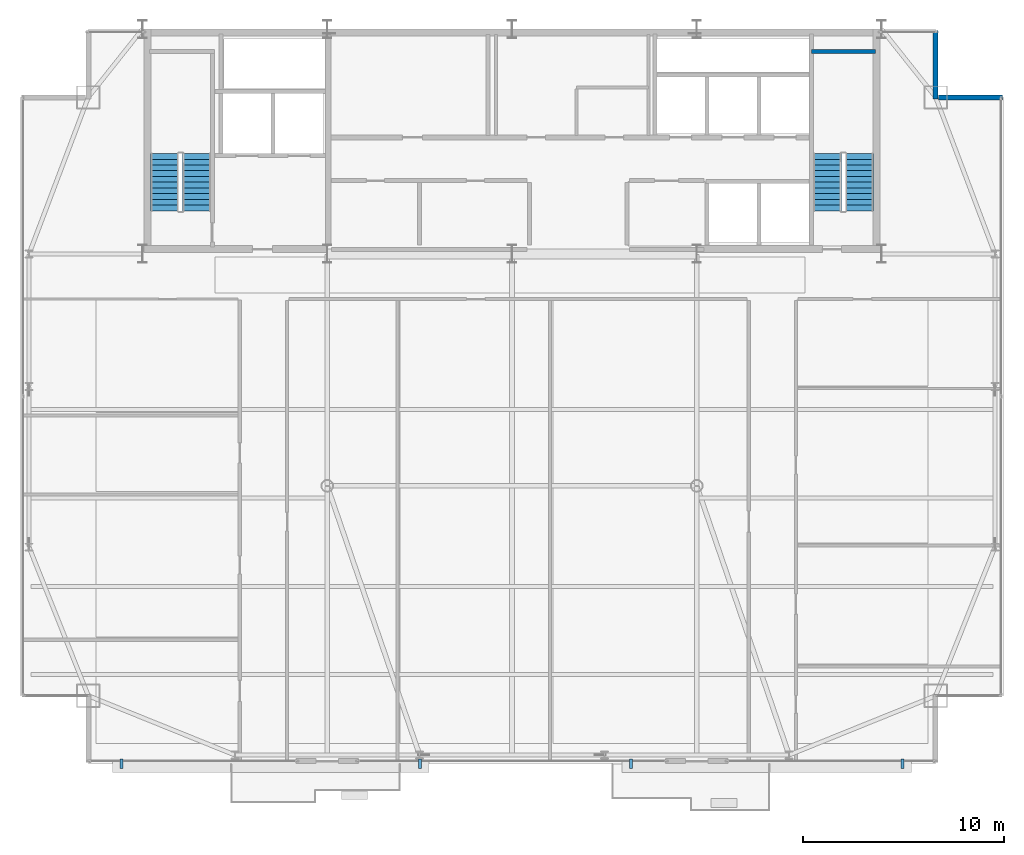
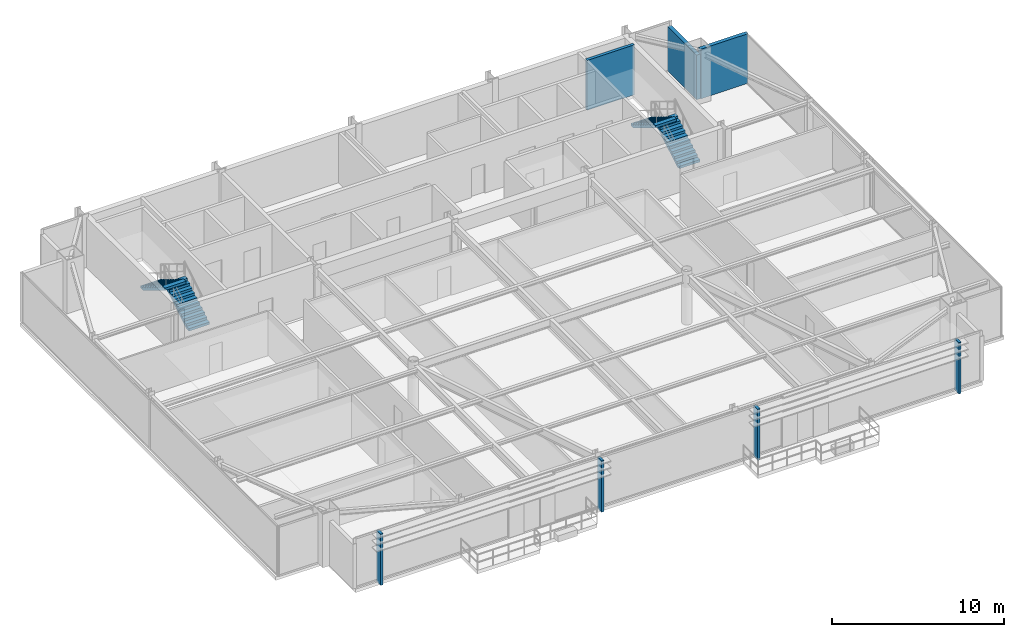
# One storey, part 28 of 30: 4 discrete accessories, 4 stair flights, 3 walls, 2 elements without a shape of their own.
"""IFC4 building model written with IfcOpenShell, lengths in metres."""

import ifcopenshell
import ifcopenshell.guid

model = None  # the IFC model being written
_history = None  # IfcOwnerHistory: only IFC2X3 demands one
_inside = {}  # id of a spatial element -> (the spatial element, [elements in it])
_under = {}  # id of a project, library or spatial element -> (it, [spatial elements below it])
_declared = {}  # id of a project -> (the project, [libraries it declares])
_typed = {}  # id of a type object -> (the type object, [elements of that type])
_made_of = {}  # id of a material, layer set ... -> (it, [elements and type objects made of it])


def new_model(schema):
    """Start an empty IFC model of exactly this schema.

    Asked for "IFC4X3", IfcOpenShell would pick the latest addendum, in which some entities
    have other attributes; the version numbers below select the first issue.
    IFC2X3 requires an IfcOwnerHistory on every rooted entity: one is made here for all.
    """
    global model, _history
    if schema == "IFC4X3":
        model = ifcopenshell.file(schema_version=(4, 3, 0, 0))
    else:
        model = ifcopenshell.file(schema=schema)
    _inside.clear()
    _under.clear()
    _declared.clear()
    _typed.clear()
    _made_of.clear()
    _history = None
    if model.schema == "IFC2X3":
        org = make("IfcOrganization", Name="unknown")
        user = make(
            "IfcPersonAndOrganization",
            ThePerson=make("IfcPerson", FamilyName="unknown"),
            TheOrganization=org,
        )
        app = make(
            "IfcApplication",
            ApplicationDeveloper=org,
            Version="unknown",
            ApplicationFullName="unknown",
            ApplicationIdentifier="unknown",
        )
        _history = make(
            "IfcOwnerHistory",
            OwningUser=user,
            OwningApplication=app,
            ChangeAction="ADDED",
            CreationDate=0,
        )
    return model


def make(cls, **values):
    """One entity of the class cls with the attributes given. An attribute that is None is left unset."""
    return model.create_entity(
        cls, **{name: value for name, value in values.items() if value is not None}
    )


def rooted(cls, **values):
    """An entity with a GlobalId (a new one), such as an element, a storey or a relation."""
    return make(cls, GlobalId=ifcopenshell.guid.new(), OwnerHistory=_history, **values)


def si_unit(unit_type, name, prefix=None):
    """IfcSIUnit, for example si_unit("LENGTHUNIT", "METRE", prefix="MILLI")."""
    return make("IfcSIUnit", UnitType=unit_type, Prefix=prefix, Name=name)


def assignment(units):
    """IfcUnitAssignment: the units of a project."""
    return None if units is None else make("IfcUnitAssignment", Units=units)


def point(xyz):
    """IfcCartesianPoint."""
    return None if xyz is None else make("IfcCartesianPoint", Coordinates=xyz)


def direction(xyz):
    """IfcDirection."""
    return None if xyz is None else make("IfcDirection", DirectionRatios=xyz)


def frame(location, z_axis=None, x_axis=None):
    """IfcAxis2Placement3D, a coordinate frame: its origin and axes. An axis left out is left unset."""
    return make(
        "IfcAxis2Placement3D",
        Location=point(location),
        Axis=direction(z_axis),
        RefDirection=direction(x_axis),
    )


def frame_2d(location, x_axis=None):
    """IfcAxis2Placement2D, a coordinate frame in the plane: its origin and x axis."""
    return make(
        "IfcAxis2Placement2D", Location=point(location), RefDirection=direction(x_axis)
    )


def origin():
    """The frame at (0, 0, 0) with its axes left unset."""
    return frame((0.0, 0.0, 0.0))


def origin_2d():
    """The frame at (0, 0) in the plane with its x axis left unset."""
    return frame_2d((0.0, 0.0))


def place(relative_to, where):
    """IfcLocalPlacement: puts the frame where relative to a parent placement (None: the world)."""
    return make(
        "IfcLocalPlacement", PlacementRelTo=relative_to, RelativePlacement=where
    )


def context(
    kind, dimensions, precision=None, world=None, true_north=None, identifier=None
):
    """IfcGeometricRepresentationContext, for example the 3D "Model" context."""
    return make(
        "IfcGeometricRepresentationContext",
        ContextIdentifier=identifier,
        ContextType=kind,
        CoordinateSpaceDimension=dimensions,
        Precision=precision,
        WorldCoordinateSystem=world,
        TrueNorth=true_north,
    )


def subcontext(parent, identifier, kind, view, scale=None):
    """IfcGeometricRepresentationSubContext, for example "Body" below "Model"."""
    return make(
        "IfcGeometricRepresentationSubContext",
        ContextIdentifier=identifier,
        ContextType=kind,
        ParentContext=parent,
        TargetScale=scale,
        TargetView=view,
    )


def project(units=None, contexts=None):
    """IfcProject with its units and contexts."""
    return rooted(
        "IfcProject",
        Name="project",
        RepresentationContexts=contexts,
        UnitsInContext=assignment(units),
    )


def spatial(cls, under=None, at=None, **own):
    """A site, building, storey or space (cls), placed at a placement, below another one or the project."""
    s = rooted(cls, ObjectPlacement=at, **own)
    if under is not None:
        _under.setdefault(under.id(), (under, []))[1].append(s)
    return s


def polyline(points):
    """IfcPolyline through the points."""
    return make("IfcPolyline", Points=[point(p) for p in points])


def profile(cls, at=None, kind="AREA", **sizes):
    """A parametric profile (cls). Its sizes go by their IFC names, for example OverallWidth=200.0."""
    return make(cls, ProfileType=kind, Position=at, **sizes)


def rectangle(**sizes):
    """IfcRectangleProfileDef."""
    return profile("IfcRectangleProfileDef", **sizes)


def outline(outer, holes=None, kind="AREA"):
    """IfcArbitraryClosedProfileDef: a profile drawn as a closed curve; with holes, ...WithVoids."""
    if holes is None:
        return make("IfcArbitraryClosedProfileDef", ProfileType=kind, OuterCurve=outer)
    return make(
        "IfcArbitraryProfileDefWithVoids",
        ProfileType=kind,
        OuterCurve=outer,
        InnerCurves=holes,
    )


def extrude(swept, where, along, depth):
    """IfcExtrudedAreaSolid: the profile swept, set in the frame where, extruded along a direction by depth."""
    return make(
        "IfcExtrudedAreaSolid",
        SweptArea=swept,
        Position=where,
        ExtrudedDirection=direction(along),
        Depth=depth,
    )


def shape(context_of_items, identifier, shape_type, items):
    """IfcShapeRepresentation: the items that make up one representation, for example the "Body"."""
    return make(
        "IfcShapeRepresentation",
        ContextOfItems=context_of_items,
        RepresentationIdentifier=identifier,
        RepresentationType=shape_type,
        Items=items,
    )


def source(mapping_origin, context_of_items, identifier, shape_type, items):
    """IfcRepresentationMap: a shape defined once, which mapped items show again and again."""
    return make(
        "IfcRepresentationMap",
        MappingOrigin=mapping_origin,
        MappedRepresentation=shape(context_of_items, identifier, shape_type, items),
    )


def transform(
    local_origin,
    x_axis=None,
    y_axis=None,
    z_axis=None,
    scale=None,
    scale2=None,
    scale3=None,
    uniform=True,
):
    """IfcCartesianTransformationOperator3D, or its non-uniform kind. x_axis, y_axis, z_axis: its Axis1, 2, 3."""
    if uniform:
        return make(
            "IfcCartesianTransformationOperator3D",
            Axis1=direction(x_axis),
            Axis2=direction(y_axis),
            LocalOrigin=point(local_origin),
            Scale=scale,
            Axis3=direction(z_axis),
        )
    return make(
        "IfcCartesianTransformationOperator3DnonUniform",
        Axis1=direction(x_axis),
        Axis2=direction(y_axis),
        LocalOrigin=point(local_origin),
        Scale=scale,
        Axis3=direction(z_axis),
        Scale2=scale2,
        Scale3=scale3,
    )


def mapped(mapping_source, mapping_target):
    """IfcMappedItem: shows the shape of a source again, moved by a transform."""
    return make(
        "IfcMappedItem", MappingSource=mapping_source, MappingTarget=mapping_target
    )


def material(Name=None, Category=None):
    """IfcMaterial."""
    return make("IfcMaterial", Name=Name, Category=Category)


def layer(
    of_material, thickness, ventilated=None, Name=None, Category=None, Priority=None
):
    """IfcMaterialLayer: one layer of a wall or slab, of a material (None: an air gap)."""
    return make(
        "IfcMaterialLayer",
        Material=of_material,
        LayerThickness=thickness,
        IsVentilated=ventilated,
        Name=Name,
        Category=Category,
        Priority=Priority,
    )


def layer_set(layers, Name=None):
    """IfcMaterialLayerSet."""
    return make("IfcMaterialLayerSet", MaterialLayers=layers, LayerSetName=Name)


def made_of(thing, what):
    """Note that an element or type object is made of a material, layer set ...; save() writes the relation."""
    if what is not None:
        _made_of.setdefault(what.id(), (what, []))[1].append(thing)
    return thing


def type_object(cls, material=None, **own):
    """A type object (cls), such as IfcWallType, which elements share."""
    return made_of(rooted(cls, **own), material)


def type_shapes(of_type, sources):
    """Give a type object the sources (RepresentationMaps) that its elements show as mapped items."""
    of_type.RepresentationMaps = sources


def element(
    cls,
    number,
    at=None,
    inside=None,
    cuts=None,
    type_object=None,
    material=None,
    context=None,
    identifier="Body",
    shape_type=None,
    held_by="IfcProductDefinitionShape",
    body=None,
    shapes=None,
    **own,
):
    """One element of the class cls, such as IfcWall. Its Tag is "e" and its number.

    at: its placement. inside: the storey or other place that contains it. cuts: it is an
    opening in that element (IfcRelVoidsElement). A single representation is given by context,
    identifier, shape_type and body (its items); several are given by shapes. held_by: the class
    of the entity that holds the representations. save() writes the other relations.
    """
    e = rooted(cls, Tag="e%d" % number, ObjectPlacement=at, **own)
    if body is not None:
        shapes = [shape(context, identifier, shape_type, body)]
    if shapes is not None:
        e.Representation = make(held_by, Representations=shapes)
    if inside is not None:
        _inside.setdefault(inside.id(), (inside, []))[1].append(e)
    if cuts is not None:
        rooted(
            "IfcRelVoidsElement", RelatingBuildingElement=cuts, RelatedOpeningElement=e
        )
    if type_object is not None:
        _typed.setdefault(type_object.id(), (type_object, []))[1].append(e)
    return made_of(e, material)


def aggregate(whole, parts):
    """IfcRelAggregates: a whole, such as a stair, and the parts it consists of."""
    return rooted("IfcRelAggregates", RelatingObject=whole, RelatedObjects=parts)


def save(model, path):
    """Write the relations noted so far, then the file.

    IfcRelAggregates (storeys below a building ...), IfcRelContainedInSpatialStructure (elements
    in a storey), IfcRelDefinesByType, IfcRelAssociatesMaterial and IfcRelDeclares: one each for
    every whole, place, type object, material and project.
    """
    for whole, parts in _under.values():
        aggregate(whole, parts)
    for where, things in _inside.values():
        rooted(
            "IfcRelContainedInSpatialStructure",
            RelatedElements=things,
            RelatingStructure=where,
        )
    for kind, things in _typed.values():
        rooted("IfcRelDefinesByType", RelatedObjects=things, RelatingType=kind)
    for what, things in _made_of.values():
        rooted("IfcRelAssociatesMaterial", RelatedObjects=things, RelatingMaterial=what)
    for by, libraries in _declared.values():
        rooted("IfcRelDeclares", RelatingContext=by, RelatedDefinitions=libraries)
    model.write(path)


model = new_model("IFC4")

# Units and contexts
model_context = context("Model", 3, precision=1e-05, world=origin(), true_north=direction((0.0, 1.0)))
body_context = subcontext(model_context, "Body", "Model", "MODEL_VIEW")
ifc_project = project(units=[si_unit("LENGTHUNIT", "METRE"), si_unit("AREAUNIT", "SQUARE_METRE"), si_unit("VOLUMEUNIT", "CUBIC_METRE"), si_unit("PLANEANGLEUNIT", "RADIAN"), si_unit("MASSUNIT", "GRAM", prefix="KILO")], contexts=[model_context])

# Site, building, storey
site_placement = place(None, origin())
site = spatial("IfcSite", under=ifc_project, at=site_placement, CompositionType="ELEMENT")
building_placement = place(site_placement, origin())
building = spatial("IfcBuilding", under=site, at=building_placement, Name="Varnel Quay Broadcast Tower", CompositionType="ELEMENT")
storey_placement = place(building_placement, frame((0.0, 0.0, 211.199951171875)))
storey = spatial("IfcBuildingStorey", under=building, at=storey_placement, Name="L52", CompositionType="ELEMENT", Elevation=211.199951171875)

# Walls
ifc_material_1 = material(Name="Concrete CSA A23.3 C50/60", Category="concrete")
ifc_layer_1 = layer(ifc_material_1, 0.199951171875, Name="Concrete CSA A23.3 C50/60")
ifc_layer_set_1 = layer_set([ifc_layer_1], Name="Concrete CSA A23.3 C50/60")
wall_type_1 = type_object("IfcWallType", Name="Wall_CoreShaftShear200", PredefinedType="SHEAR", material=ifc_layer_set_1)
wall_1_placement = place(storey_placement, frame((48.919921875, 45.679931640625, 0.0), z_axis=(0.0, 0.0, 1.0), x_axis=(1.0, 0.0, 0.0)))
element("IfcWall", 1, at=wall_1_placement, inside=storey, type_object=wall_type_1, Name="L52 Stair 2 North Structural Wall", PredefinedType="SHEAR", context=body_context, shape_type="SweptSolid", body=[
    extrude(rectangle(XDim=3.18017578125, YDim=0.199951171875, at=frame_2d((1.590087890625, 0.0))), origin(), (0.0, 0.0, 1.0), 3.550048828125),
])
ifc_material_2 = material(Name="Precast Architectural Concrete C40/50", Category="concrete")
ifc_layer_2 = layer(ifc_material_2, 0.25, Name="Precast Architectural Concrete C40/50")
ifc_layer_set_2 = layer_set([ifc_layer_2], Name="Precast Architectural Concrete C40/50")
wall_type_2 = type_object("IfcWallType", Name="Wall_ExtTerrace250", PredefinedType="SOLIDWALL", material=ifc_layer_set_2)
wall_2_placement = place(storey_placement, frame((55.22998046875, 43.39990234375, 0.0), z_axis=(0.0, 0.0, 1.0), x_axis=(1.0, 0.0, 0.0)))
element("IfcWall", 2, at=wall_2_placement, inside=storey, type_object=wall_type_2, Name="L52 Mega-Column Notch Cladding Wall NNE1", PredefinedType="SOLIDWALL", context=body_context, shape_type="SweptSolid", body=[
    extrude(rectangle(XDim=3.18994140625, YDim=0.25, at=frame_2d((1.594970703125, 0.0))), origin(), (0.0, 0.0, 1.0), 3.530029296875),
])
wall_3_placement = place(storey_placement, frame((55.10009765625, 43.320068359375, 0.0), z_axis=(0.0, 0.0, 1.0), x_axis=(0.0, 1.0, 0.0)))
element("IfcWall", 3, at=wall_3_placement, inside=storey, type_object=wall_type_2, Name="L52 Mega-Column Notch Cladding Wall NNE2", PredefinedType="SOLIDWALL", context=body_context, shape_type="SweptSolid", body=[
    extrude(rectangle(XDim=3.39990234375, YDim=0.25, at=frame_2d((1.699951171875, 0.0))), origin(), (0.0, 0.0, 1.0), 3.171142578125),
])

# Stair, stair flights
ifc_material_3 = material(Name="Precast Structural Concrete C40/50", Category="concrete")
stair_type_1 = type_object("IfcStairType", Name="Stair_ST-01", PredefinedType="HALF_TURN_STAIR", material=ifc_material_3)
stair_1_placement = place(storey_placement, origin())
stair_1 = element("IfcStair", 4, at=stair_1_placement, inside=storey, type_object=stair_type_1, Name="L52 West Core Exit Stair 1", PredefinedType="HALF_TURN_STAIR")
stair_flight_type_1 = type_object("IfcStairFlightType", Name="Flight_ST-01", PredefinedType="STRAIGHT", material=ifc_material_3)
stair_flight_1_placement = place(storey_placement, frame((18.300048828125, 37.75, 0.0), z_axis=(0.0, 0.0, 1.0), x_axis=(0.0, 1.0, 0.0)))
stair_flight_1 = element("IfcStairFlight", 5, at=stair_flight_1_placement, type_object=stair_flight_type_1, Name="ST-01 flight 1", NumberOfRisers=11, NumberOfTreads=10, PredefinedType="STRAIGHT", RiserHeight=0.172727273, TreadLength=0.285, context=body_context, shape_type="SweptSolid", body=[
    extrude(outline(polyline([(0.0, 0.0), (0.0, 0.172607421875), (0.284912109375, 0.172607421875), (0.284912109375, 0.345458984375), (0.570068359375, 0.345458984375), (0.570068359375, 0.51806640625), (0.85498046875, 0.51806640625), (0.85498046875, 0.69091796875), (1.139892578125, 0.69091796875), (1.139892578125, 0.863525390625), (1.425048828125, 0.863525390625), (1.425048828125, 1.036376953125), (1.7099609375, 1.036376953125), (1.7099609375, 1.208984375), (1.9951171875, 1.208984375), (1.9951171875, 1.3818359375), (2.280029296875, 1.3818359375), (2.280029296875, 1.554443359375), (2.56494140625, 1.554443359375), (2.56494140625, 1.727294921875), (2.85009765625, 1.727294921875), (2.85009765625, 1.89990234375), (2.85009765625, 1.552001953125), (0.289306640625, 0.0), (0.0, 0.0)])), frame((0.0, 0.699951171875, 0.0), z_axis=(0.0, -1.0, 0.0), x_axis=(1.0, 0.0, 0.0)), (0.0, 0.0, 1.0), 1.39990234375),
])
stair_flight_2_placement = place(storey_placement, frame((16.699951171875, 40.60009765625, 1.900146484375), z_axis=(0.0, 0.0, 1.0), x_axis=(0.0, -1.0, 0.0)))
stair_flight_2 = element("IfcStairFlight", 6, at=stair_flight_2_placement, type_object=stair_flight_type_1, Name="ST-01 flight 2", NumberOfRisers=11, NumberOfTreads=10, PredefinedType="STRAIGHT", RiserHeight=0.172727273, TreadLength=0.285, context=body_context, shape_type="SweptSolid", body=[
    extrude(outline(polyline([(0.0, 0.0), (0.0, 0.172607421875), (0.284912109375, 0.172607421875), (0.284912109375, 0.345458984375), (0.570068359375, 0.345458984375), (0.570068359375, 0.51806640625), (0.85498046875, 0.51806640625), (0.85498046875, 0.69091796875), (1.139892578125, 0.69091796875), (1.139892578125, 0.863525390625), (1.425048828125, 0.863525390625), (1.425048828125, 1.036376953125), (1.7099609375, 1.036376953125), (1.7099609375, 1.208984375), (1.9951171875, 1.208984375), (1.9951171875, 1.3818359375), (2.280029296875, 1.3818359375), (2.280029296875, 1.554443359375), (2.56494140625, 1.554443359375), (2.56494140625, 1.727294921875), (2.85009765625, 1.727294921875), (2.85009765625, 1.89990234375), (2.85009765625, 1.552001953125), (0.289306640625, 0.0), (0.0, 0.0)])), frame((0.0, 0.699951171875, 0.0), z_axis=(0.0, -1.0, 0.0), x_axis=(1.0, 0.0, 0.0)), (0.0, 0.0, 1.0), 1.39990234375),
])
aggregate(stair_1, [stair_flight_1, stair_flight_2])

stair_type_2 = type_object("IfcStairType", Name="Stair_ST-02", PredefinedType="HALF_TURN_STAIR", material=ifc_material_3)
stair_2_placement = place(storey_placement, origin())
stair_2 = element("IfcStair", 7, at=stair_2_placement, inside=storey, type_object=stair_type_2, Name="L52 East Core Exit Stair 2", PredefinedType="HALF_TURN_STAIR")
stair_flight_type_2 = type_object("IfcStairFlightType", Name="Flight_ST-02", PredefinedType="STRAIGHT", material=ifc_material_3)
stair_flight_3_placement = place(storey_placement, frame((51.300048828125, 37.75, 0.0), z_axis=(0.0, 0.0, 1.0), x_axis=(0.0, 1.0, 0.0)))
stair_flight_3 = element("IfcStairFlight", 8, at=stair_flight_3_placement, type_object=stair_flight_type_2, Name="ST-02 flight 1", NumberOfRisers=11, NumberOfTreads=10, PredefinedType="STRAIGHT", RiserHeight=0.172727273, TreadLength=0.285, context=body_context, shape_type="SweptSolid", body=[
    extrude(outline(polyline([(0.0, 0.0), (0.0, 0.172607421875), (0.284912109375, 0.172607421875), (0.284912109375, 0.345458984375), (0.570068359375, 0.345458984375), (0.570068359375, 0.51806640625), (0.85498046875, 0.51806640625), (0.85498046875, 0.69091796875), (1.139892578125, 0.69091796875), (1.139892578125, 0.863525390625), (1.425048828125, 0.863525390625), (1.425048828125, 1.036376953125), (1.7099609375, 1.036376953125), (1.7099609375, 1.208984375), (1.9951171875, 1.208984375), (1.9951171875, 1.3818359375), (2.280029296875, 1.3818359375), (2.280029296875, 1.554443359375), (2.56494140625, 1.554443359375), (2.56494140625, 1.727294921875), (2.85009765625, 1.727294921875), (2.85009765625, 1.89990234375), (2.85009765625, 1.552001953125), (0.289306640625, 0.0), (0.0, 0.0)])), frame((0.0, 0.699951171875, 0.0), z_axis=(0.0, -1.0, 0.0), x_axis=(1.0, 0.0, 0.0)), (0.0, 0.0, 1.0), 1.39990234375),
])
stair_flight_4_placement = place(storey_placement, frame((49.699951171875, 40.60009765625, 1.900146484375), z_axis=(0.0, 0.0, 1.0), x_axis=(0.0, -1.0, 0.0)))
stair_flight_4 = element("IfcStairFlight", 9, at=stair_flight_4_placement, type_object=stair_flight_type_2, Name="ST-02 flight 2", NumberOfRisers=11, NumberOfTreads=10, PredefinedType="STRAIGHT", RiserHeight=0.172727273, TreadLength=0.285, context=body_context, shape_type="SweptSolid", body=[
    extrude(outline(polyline([(0.0, 0.0), (0.0, 0.172607421875), (0.284912109375, 0.172607421875), (0.284912109375, 0.345458984375), (0.570068359375, 0.345458984375), (0.570068359375, 0.51806640625), (0.85498046875, 0.51806640625), (0.85498046875, 0.69091796875), (1.139892578125, 0.69091796875), (1.139892578125, 0.863525390625), (1.425048828125, 0.863525390625), (1.425048828125, 1.036376953125), (1.7099609375, 1.036376953125), (1.7099609375, 1.208984375), (1.9951171875, 1.208984375), (1.9951171875, 1.3818359375), (2.280029296875, 1.3818359375), (2.280029296875, 1.554443359375), (2.56494140625, 1.554443359375), (2.56494140625, 1.727294921875), (2.85009765625, 1.727294921875), (2.85009765625, 1.89990234375), (2.85009765625, 1.552001953125), (0.289306640625, 0.0), (0.0, 0.0)])), frame((0.0, 0.699951171875, 0.0), z_axis=(0.0, -1.0, 0.0), x_axis=(1.0, 0.0, 0.0)), (0.0, 0.0, 1.0), 1.39990234375),
])
aggregate(stair_2, [stair_flight_3, stair_flight_4])

# Discrete accessories
ifc_material_4 = material(Name="Anodised Bronze Aluminium 6063-T6", Category="aluminium")
ifc_layer_3 = layer(ifc_material_4, 0.47998046875, Name="Anodised Bronze Aluminium 6063-T6")
ifc_layer_set_3 = layer_set([ifc_layer_3], Name="Anodised Bronze Aluminium 6063-T6")
discrete_accessory_type = type_object("IfcDiscreteAccessoryType", Name="Acc_FacadeBracket", PredefinedType="BRACKET", material=ifc_layer_set_3)
shared_shape = source(origin(), body_context, "Body", "SweptSolid", [
    extrude(rectangle(XDim=0.159912109375, YDim=0.47998046875, at=origin_2d()), origin(), (0.0, 0.0, 1.0), 3.64990234375),
])
type_shapes(discrete_accessory_type, [shared_shape])
for number, where, z_axis, x_axis, name in (
    (10, (14.550048828125, 10.219970703125, -0.14990234375), (0.0, 0.0, 1.0), (1.0, 0.0, 0.0), "L52 Lobe 1 Louvre Support Bracket 1"),
    (11, (29.4189453125, 10.219970703125, -0.14990234375), (0.0, 0.0, 1.0), (1.0, 0.0, 0.0), "L52 Lobe 1 Louvre Support Bracket 2"),
    (12, (39.9189453125, 10.219970703125, -0.14990234375), (0.0, 0.0, 1.0), (1.0, 0.0, 0.0), "L52 Lobe 2 Louvre Support Bracket 1"),
    (13, (53.449951171875, 10.219970703125, -0.14990234375), (0.0, 0.0, 1.0), (1.0, 0.0, 0.0), "L52 Lobe 2 Louvre Support Bracket 2"),
):
    element("IfcDiscreteAccessory", number, at=place(storey_placement, frame(where, z_axis=z_axis, x_axis=x_axis)), inside=storey, type_object=discrete_accessory_type, Name=name, PredefinedType="BRACKET", context=body_context, shape_type="MappedRepresentation", body=[
        mapped(shared_shape, transform((0.0, 0.0, 0.0), x_axis=(1.0, 0.0, 0.0), y_axis=(0.0, 1.0, 0.0), z_axis=(0.0, 0.0, 1.0), scale=1.0)),
    ])

save(model, "model.ifc")
